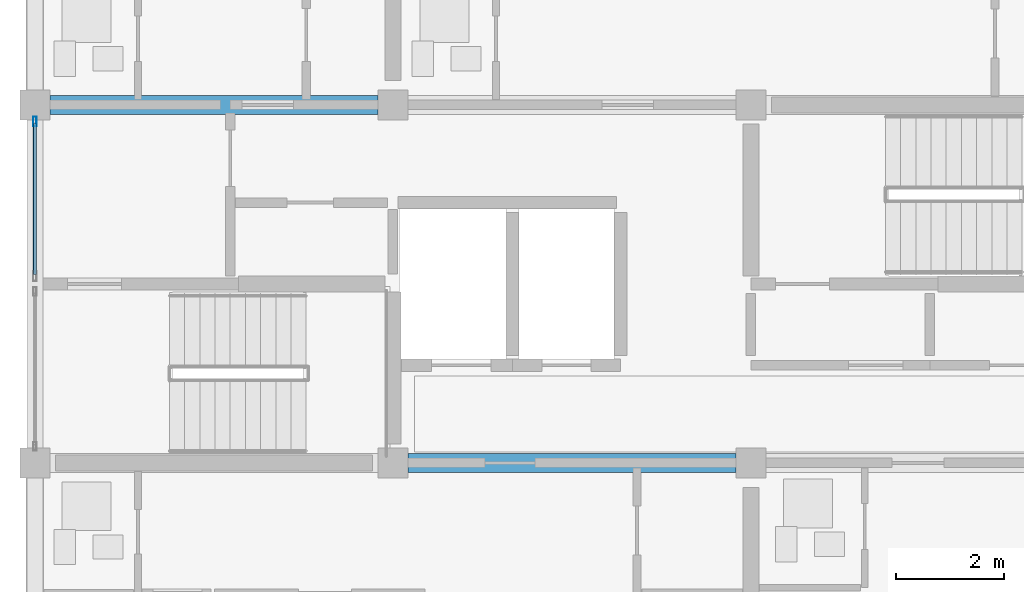
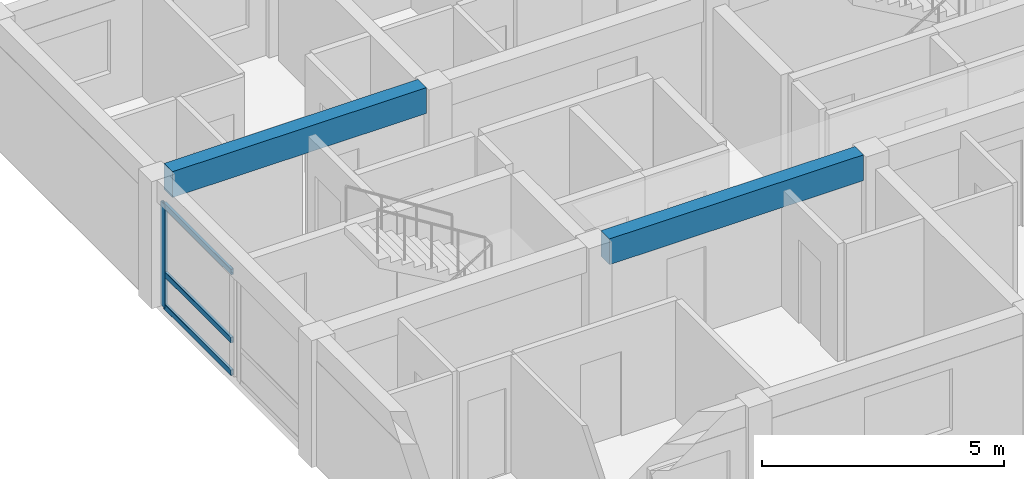
# One storey, part 16 of 53: 4 members, 2 beams, 1 element without a shape of its own.
"""IFC4 building model written with IfcOpenShell, lengths in metres."""

from ifc_helpers import new_model, si_unit, direction, frame, origin, origin_2d, place, context, subcontext, project, spatial, rectangle, hollow_rectangle, extrude, material, material_profile, profile_set, type_object, element, aggregate, save


model = new_model("IFC4")

# Units and contexts
model_context = context("Model", 3, precision=1e-05, world=origin(), true_north=direction((0.0, 1.0)))
body_context = subcontext(model_context, "Body", "Model", "MODEL_VIEW")
ifc_project = project(units=[si_unit("LENGTHUNIT", "METRE"), si_unit("AREAUNIT", "SQUARE_METRE"), si_unit("VOLUMEUNIT", "CUBIC_METRE"), si_unit("PLANEANGLEUNIT", "RADIAN"), si_unit("MASSUNIT", "GRAM", prefix="KILO")], contexts=[model_context])

# Site, building, storey
site_placement = place(None, origin())
site = spatial("IfcSite", under=ifc_project, at=site_placement, CompositionType="ELEMENT")
building_placement = place(site_placement, origin())
building = spatial("IfcBuilding", under=site, at=building_placement, Name="Kernevlak Ridge Housing Community", CompositionType="ELEMENT")
storey_placement = place(building_placement, frame((0.0, 0.0, 18.0)))
storey = spatial("IfcBuildingStorey", under=building, at=storey_placement, Name="L05", CompositionType="ELEMENT", Elevation=18.0)

# Beams
ifc_material_1 = material(Name="Concrete C35/45", Category="concrete")
ifc_material_profile_1 = material_profile(ifc_material_1, rectangle(XDim=0.35009765625, YDim=0.64990234375, at=origin_2d()), Name="RC 350x650")
ifc_profile_set_1 = profile_set([ifc_material_profile_1], Name="Concrete C35/45")
beam_type = type_object("IfcBeamType", Name="B-02", PredefinedType="BEAM", material=ifc_profile_set_1)
beam_1_placement = place(storey_placement, frame((22.47509765625, 82.60009765625, 2.875), z_axis=(1.0, 0.0, 0.0), x_axis=(0.0, 1.0, 0.0)))
element("IfcBeam", 1, at=beam_1_placement, inside=storey, type_object=beam_type, Name="Beam B-02 L05 193", PredefinedType="BEAM", context=body_context, shape_type="SweptSolid", body=[
    extrude(rectangle(XDim=0.35009765625, YDim=0.64990234375, at=origin_2d()), origin(), (0.0, 0.0, 1.0), 6.0498046875),
])
beam_2_placement = place(storey_placement, frame((15.875, 89.199951171875, 2.875), z_axis=(1.0, 0.0, 0.0), x_axis=(0.0, 1.0, 0.0)))
element("IfcBeam", 2, at=beam_2_placement, inside=storey, type_object=beam_type, Name="Beam B-02 L05 197", PredefinedType="BEAM", context=body_context, shape_type="SweptSolid", body=[
    extrude(rectangle(XDim=0.35009765625, YDim=0.64990234375, at=origin_2d()), origin(), (0.0, 0.0, 1.0), 6.050048828125),
])

# Curtain wall, members
ifc_material_2 = material(Name="Aluminium EN AW-6060 anodised and laminated glass", Category="aluminium")
curtain_wall_type = type_object("IfcCurtainWallType", Name="CW-06", PredefinedType="NOTDEFINED", material=ifc_material_2)
curtain_wall_placement = place(storey_placement, origin())
curtain_wall = element("IfcCurtainWall", 3, at=curtain_wall_placement, inside=storey, type_object=curtain_wall_type, Name="Curtain wall CW-06 CW-L05-017", PredefinedType="NOTDEFINED")
ifc_material_3 = material(Name="Aluminium EN AW-6060 anodised", Category="aluminium")
ifc_material_profile_2 = material_profile(ifc_material_3, hollow_rectangle(XDim=0.06494140625, YDim=0.179931640625, WallThickness=0.00439453125, InnerFilletRadius=0.001953125, OuterFilletRadius=0.00439453125, at=origin_2d()), Name="ALU 65x180x4.5")
ifc_profile_set_2 = profile_set([ifc_material_profile_2], Name="Aluminium EN AW-6060 anodised")
member_type_1 = type_object("IfcMemberType", Name="MU-03", PredefinedType="MULLION", material=ifc_profile_set_2)
member_1_placement = place(storey_placement, frame((15.60009765625, 88.892578125, 0.0), z_axis=(0.0, 0.0, 1.0), x_axis=(-1.0, 0.0, 0.0)))
member_1 = element("IfcMember", 4, at=member_1_placement, type_object=member_type_1, Name="CW-06 mullion 2", PredefinedType="MULLION", context=body_context, shape_type="SweptSolid", body=[
    extrude(hollow_rectangle(XDim=0.06494140625, YDim=0.179931640625, WallThickness=0.00439453125, InnerFilletRadius=0.001953125, OuterFilletRadius=0.00439453125, at=origin_2d()), origin(), (0.0, 0.0, 1.0), 2.60009765625),
])
ifc_material_profile_3 = material_profile(ifc_material_3, hollow_rectangle(XDim=0.06494140625, YDim=0.139892578125, WallThickness=0.00390625, InnerFilletRadius=0.001953125, OuterFilletRadius=0.00390625, at=origin_2d()), Name="ALU 65x140x4")
ifc_profile_set_3 = profile_set([ifc_material_profile_3], Name="Aluminium EN AW-6060 anodised")
member_type_2 = type_object("IfcMemberType", Name="TM-03", PredefinedType="USERDEFINED", material=ifc_profile_set_3)
member_2_placement = place(storey_placement, frame((15.60009765625, 86.074951171875, 0.032470703125), z_axis=(0.0, 1.0, 0.0), x_axis=(-1.0, 0.0, 0.0)))
member_2 = element("IfcMember", 5, at=member_2_placement, type_object=member_type_2, Name="CW-06 transom 1.1", ObjectType="TRANSOM", PredefinedType="USERDEFINED", context=body_context, shape_type="SweptSolid", body=[
    extrude(hollow_rectangle(XDim=0.06494140625, YDim=0.139892578125, WallThickness=0.00390625, InnerFilletRadius=0.001953125, OuterFilletRadius=0.00390625, at=origin_2d()), origin(), (0.0, 0.0, 1.0), 2.78515625),
])
member_3_placement = place(storey_placement, frame((15.60009765625, 86.074951171875, 0.85009765625), z_axis=(0.0, 1.0, 0.0), x_axis=(-1.0, 0.0, 0.0)))
member_3 = element("IfcMember", 6, at=member_3_placement, type_object=member_type_2, Name="CW-06 transom 1.2", ObjectType="TRANSOM", PredefinedType="USERDEFINED", context=body_context, shape_type="SweptSolid", body=[
    extrude(hollow_rectangle(XDim=0.06494140625, YDim=0.139892578125, WallThickness=0.00390625, InnerFilletRadius=0.001953125, OuterFilletRadius=0.00390625, at=origin_2d()), origin(), (0.0, 0.0, 1.0), 2.78515625),
])
member_4_placement = place(storey_placement, frame((15.60009765625, 86.074951171875, 2.5673828125), z_axis=(0.0, 1.0, 0.0), x_axis=(-1.0, 0.0, 0.0)))
member_4 = element("IfcMember", 7, at=member_4_placement, type_object=member_type_2, Name="CW-06 transom 1.3", ObjectType="TRANSOM", PredefinedType="USERDEFINED", context=body_context, shape_type="SweptSolid", body=[
    extrude(hollow_rectangle(XDim=0.06494140625, YDim=0.139892578125, WallThickness=0.00390625, InnerFilletRadius=0.001953125, OuterFilletRadius=0.00390625, at=origin_2d()), origin(), (0.0, 0.0, 1.0), 2.78515625),
])
aggregate(curtain_wall, [member_1, member_2, member_3, member_4])

save(model, "model.ifc")
